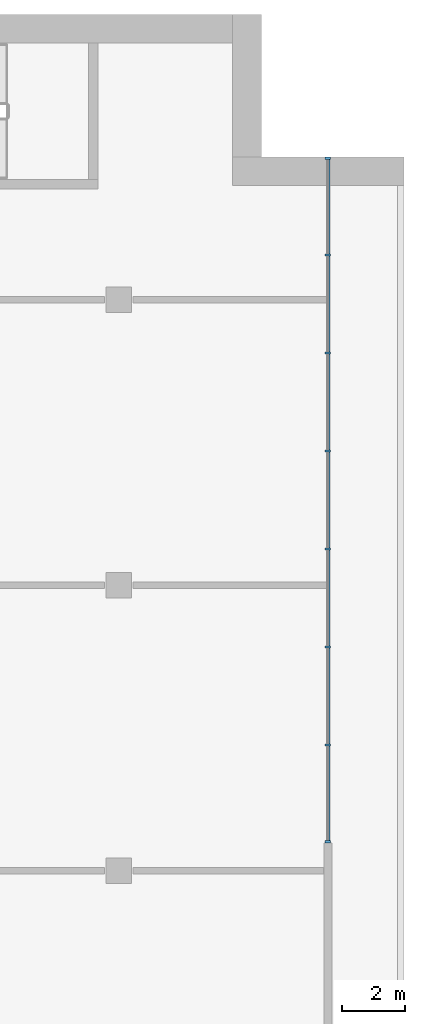
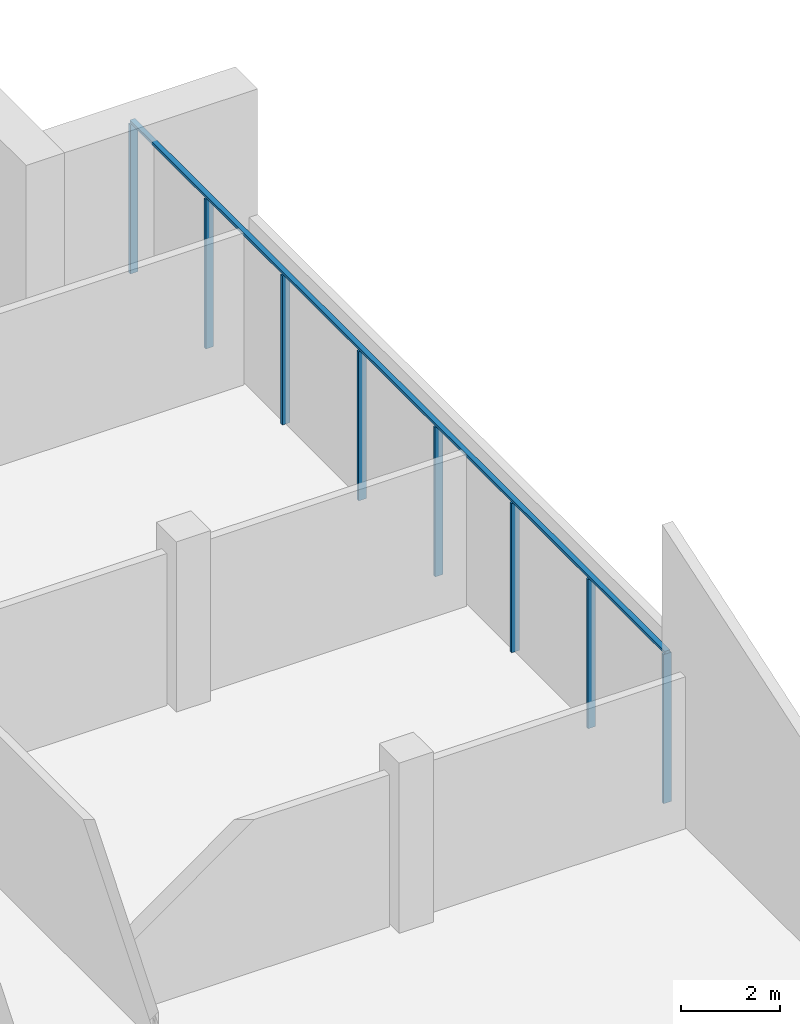
# One storey, part 3 of 11: 9 members, 1 element without a shape of its own.
"""IFC4 building model written with IfcOpenShell, lengths in metres."""

from ifc_helpers import new_model, si_unit, direction, frame, origin, origin_2d, place, context, subcontext, project, spatial, rectangle, extrude, material, material_profile, profile_set, type_object, element, aggregate, save


model = new_model("IFC4")

# Units and contexts
model_context = context("Model", 3, precision=1e-05, world=origin(), true_north=direction((0.0, 1.0)))
body_context = subcontext(model_context, "Body", "Model", "MODEL_VIEW")
ifc_project = project(units=[si_unit("LENGTHUNIT", "METRE"), si_unit("AREAUNIT", "SQUARE_METRE"), si_unit("VOLUMEUNIT", "CUBIC_METRE"), si_unit("PLANEANGLEUNIT", "RADIAN"), si_unit("MASSUNIT", "GRAM", prefix="KILO")], contexts=[model_context])

# Site, building, storey
site_placement = place(None, origin())
site = spatial("IfcSite", under=ifc_project, at=site_placement, CompositionType="ELEMENT")
building_placement = place(site_placement, origin())
building = spatial("IfcBuilding", under=site, at=building_placement, Name="Hunhe Ridgeline Campus", CompositionType="ELEMENT")
storey_placement = place(building_placement, frame((0.0, 0.0, 303.0)))
storey = spatial("IfcBuildingStorey", under=building, at=storey_placement, Name="L78 Crown", CompositionType="ELEMENT", Elevation=303.0)

# Curtain wall, members
ifc_material = material(Name="Aluminium 6063", Category="aluminium")
curtain_wall_type = type_object("IfcCurtainWallType", Name="Curtain wall CW-3", PredefinedType="NOTDEFINED", material=ifc_material)
curtain_wall_placement = place(storey_placement, origin())
curtain_wall = element("IfcCurtainWall", 1, at=curtain_wall_placement, inside=storey, type_object=curtain_wall_type, Name="Curtain wall 05", PredefinedType="NOTDEFINED")
ifc_material_profile_1 = material_profile(ifc_material, rectangle(XDim=0.179931640625, YDim=0.070068359375, at=origin_2d()))
ifc_profile_set_1 = profile_set([ifc_material_profile_1], Name="Aluminium 6063")
member_type_1 = type_object("IfcMemberType", Name="CW-3 aluminium mullion", PredefinedType="MULLION", material=ifc_profile_set_1)
member_1_placement = place(storey_placement, frame((51.59912109375, 72.9130859375, 0.0), z_axis=(0.0, 0.0, 1.0), x_axis=(-1.0, 0.0, 0.0)))
member_1 = element("IfcMember", 2, at=member_1_placement, type_object=member_type_1, Name="CW-3 mullion 1", PredefinedType="MULLION", context=body_context, shape_type="SweptSolid", body=[
    extrude(rectangle(XDim=0.179931640625, YDim=0.070068359375, at=origin_2d()), origin(), (0.0, 0.0, 1.0), 3.679931640625),
])
member_2_placement = place(storey_placement, frame((51.59912109375, 75.967041015625, 0.0), z_axis=(0.0, 0.0, 1.0), x_axis=(-1.0, 0.0, 0.0)))
member_2 = element("IfcMember", 3, at=member_2_placement, type_object=member_type_1, Name="CW-3 mullion 2", PredefinedType="MULLION", context=body_context, shape_type="SweptSolid", body=[
    extrude(rectangle(XDim=0.179931640625, YDim=0.070068359375, at=origin_2d()), origin(), (0.0, 0.0, 1.0), 3.679931640625),
])
member_3_placement = place(storey_placement, frame((51.59912109375, 79.0556640625, 0.0), z_axis=(0.0, 0.0, 1.0), x_axis=(-1.0, 0.0, 0.0)))
member_3 = element("IfcMember", 4, at=member_3_placement, type_object=member_type_1, Name="CW-3 mullion 3", PredefinedType="MULLION", context=body_context, shape_type="SweptSolid", body=[
    extrude(rectangle(XDim=0.179931640625, YDim=0.070068359375, at=origin_2d()), origin(), (0.0, 0.0, 1.0), 3.679931640625),
])
member_4_placement = place(storey_placement, frame((51.59912109375, 82.14453125, 0.0), z_axis=(0.0, 0.0, 1.0), x_axis=(-1.0, 0.0, 0.0)))
member_4 = element("IfcMember", 5, at=member_4_placement, type_object=member_type_1, Name="CW-3 mullion 4", PredefinedType="MULLION", context=body_context, shape_type="SweptSolid", body=[
    extrude(rectangle(XDim=0.179931640625, YDim=0.070068359375, at=origin_2d()), origin(), (0.0, 0.0, 1.0), 3.679931640625),
])
member_5_placement = place(storey_placement, frame((51.59912109375, 85.2333984375, 0.0), z_axis=(0.0, 0.0, 1.0), x_axis=(-1.0, 0.0, 0.0)))
member_5 = element("IfcMember", 6, at=member_5_placement, type_object=member_type_1, Name="CW-3 mullion 5", PredefinedType="MULLION", context=body_context, shape_type="SweptSolid", body=[
    extrude(rectangle(XDim=0.179931640625, YDim=0.070068359375, at=origin_2d()), origin(), (0.0, 0.0, 1.0), 3.679931640625),
])
member_6_placement = place(storey_placement, frame((51.59912109375, 88.322265625, 0.0), z_axis=(0.0, 0.0, 1.0), x_axis=(-1.0, 0.0, 0.0)))
member_6 = element("IfcMember", 7, at=member_6_placement, type_object=member_type_1, Name="CW-3 mullion 6", PredefinedType="MULLION", context=body_context, shape_type="SweptSolid", body=[
    extrude(rectangle(XDim=0.179931640625, YDim=0.070068359375, at=origin_2d()), origin(), (0.0, 0.0, 1.0), 3.679931640625),
])
member_7_placement = place(storey_placement, frame((51.59912109375, 91.4111328125, 0.0), z_axis=(0.0, 0.0, 1.0), x_axis=(-1.0, 0.0, 0.0)))
member_7 = element("IfcMember", 8, at=member_7_placement, type_object=member_type_1, Name="CW-3 mullion 7", PredefinedType="MULLION", context=body_context, shape_type="SweptSolid", body=[
    extrude(rectangle(XDim=0.179931640625, YDim=0.070068359375, at=origin_2d()), origin(), (0.0, 0.0, 1.0), 3.679931640625),
])
member_8_placement = place(storey_placement, frame((51.59912109375, 94.465087890625, 0.0), z_axis=(0.0, 0.0, 1.0), x_axis=(-1.0, 0.0, 0.0)))
member_8 = element("IfcMember", 9, at=member_8_placement, type_object=member_type_1, Name="CW-3 mullion 8", PredefinedType="MULLION", context=body_context, shape_type="SweptSolid", body=[
    extrude(rectangle(XDim=0.179931640625, YDim=0.070068359375, at=origin_2d()), origin(), (0.0, 0.0, 1.0), 3.679931640625),
])
ifc_material_profile_2 = material_profile(ifc_material, rectangle(XDim=0.1201171875, YDim=0.070068359375, at=origin_2d()))
ifc_profile_set_2 = profile_set([ifc_material_profile_2], Name="Aluminium 6063")
member_type_2 = type_object("IfcMemberType", Name="CW-3 aluminium transom", PredefinedType="USERDEFINED", material=ifc_profile_set_2)
member_9_placement = place(storey_placement, frame((51.59912109375, 72.878173828125, 3.715087890625), z_axis=(0.0, 1.0, 0.0), x_axis=(-1.0, 0.0, 0.0)))
member_9 = element("IfcMember", 10, at=member_9_placement, type_object=member_type_2, Name="CW-3 transom 1", ObjectType="TRANSOM", PredefinedType="USERDEFINED", context=body_context, shape_type="SweptSolid", body=[
    extrude(rectangle(XDim=0.1201171875, YDim=0.070068359375, at=origin_2d()), origin(), (0.0, 0.0, 1.0), 21.621826171875),
])
aggregate(curtain_wall, [member_9, member_1, member_2, member_3, member_4, member_5, member_6, member_7, member_8])

save(model, "model.ifc")
